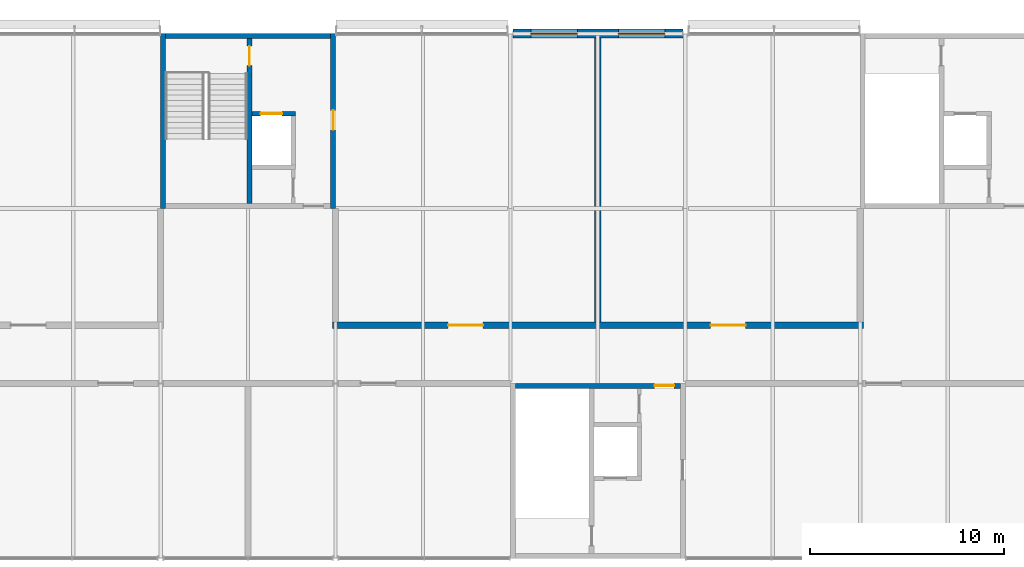
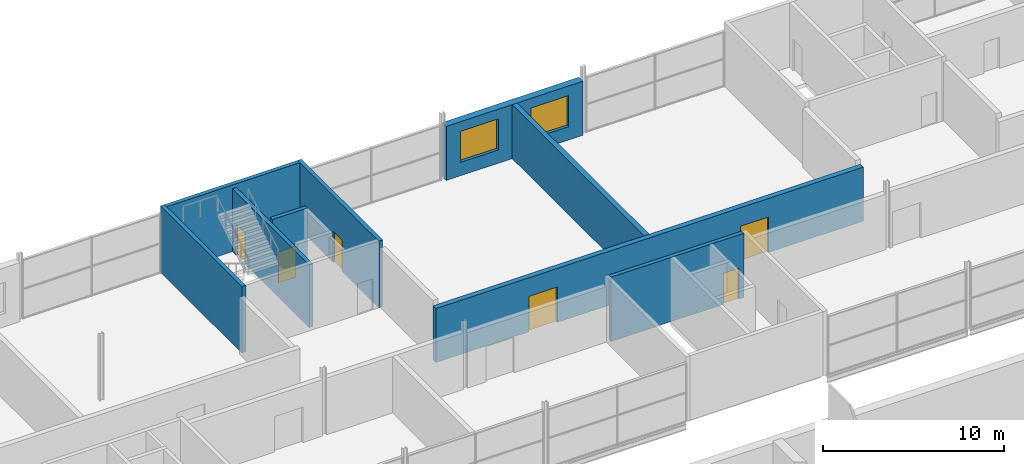
# One storey, part 125 of 138: 9 walls, 6 doors, 2 windows, 8 openings.
"""IFC4 building model written with IfcOpenShell, lengths in metres."""

import ifcopenshell
import ifcopenshell.guid

model = None  # the IFC model being written
_history = None  # IfcOwnerHistory: only IFC2X3 demands one
_inside = {}  # id of a spatial element -> (the spatial element, [elements in it])
_under = {}  # id of a project, library or spatial element -> (it, [spatial elements below it])
_declared = {}  # id of a project -> (the project, [libraries it declares])
_typed = {}  # id of a type object -> (the type object, [elements of that type])
_made_of = {}  # id of a material, layer set ... -> (it, [elements and type objects made of it])


def new_model(schema):
    """Start an empty IFC model of exactly this schema.

    Asked for "IFC4X3", IfcOpenShell would pick the latest addendum, in which some entities
    have other attributes; the version numbers below select the first issue.
    IFC2X3 requires an IfcOwnerHistory on every rooted entity: one is made here for all.
    """
    global model, _history
    if schema == "IFC4X3":
        model = ifcopenshell.file(schema_version=(4, 3, 0, 0))
    else:
        model = ifcopenshell.file(schema=schema)
    _inside.clear()
    _under.clear()
    _declared.clear()
    _typed.clear()
    _made_of.clear()
    _history = None
    if model.schema == "IFC2X3":
        org = make("IfcOrganization", Name="unknown")
        user = make(
            "IfcPersonAndOrganization",
            ThePerson=make("IfcPerson", FamilyName="unknown"),
            TheOrganization=org,
        )
        app = make(
            "IfcApplication",
            ApplicationDeveloper=org,
            Version="unknown",
            ApplicationFullName="unknown",
            ApplicationIdentifier="unknown",
        )
        _history = make(
            "IfcOwnerHistory",
            OwningUser=user,
            OwningApplication=app,
            ChangeAction="ADDED",
            CreationDate=0,
        )
    return model


def make(cls, **values):
    """One entity of the class cls with the attributes given. An attribute that is None is left unset."""
    return model.create_entity(
        cls, **{name: value for name, value in values.items() if value is not None}
    )


def rooted(cls, **values):
    """An entity with a GlobalId (a new one), such as an element, a storey or a relation."""
    return make(cls, GlobalId=ifcopenshell.guid.new(), OwnerHistory=_history, **values)


def si_unit(unit_type, name, prefix=None):
    """IfcSIUnit, for example si_unit("LENGTHUNIT", "METRE", prefix="MILLI")."""
    return make("IfcSIUnit", UnitType=unit_type, Prefix=prefix, Name=name)


def assignment(units):
    """IfcUnitAssignment: the units of a project."""
    return None if units is None else make("IfcUnitAssignment", Units=units)


def point(xyz):
    """IfcCartesianPoint."""
    return None if xyz is None else make("IfcCartesianPoint", Coordinates=xyz)


def direction(xyz):
    """IfcDirection."""
    return None if xyz is None else make("IfcDirection", DirectionRatios=xyz)


def frame(location, z_axis=None, x_axis=None):
    """IfcAxis2Placement3D, a coordinate frame: its origin and axes. An axis left out is left unset."""
    return make(
        "IfcAxis2Placement3D",
        Location=point(location),
        Axis=direction(z_axis),
        RefDirection=direction(x_axis),
    )


def frame_2d(location, x_axis=None):
    """IfcAxis2Placement2D, a coordinate frame in the plane: its origin and x axis."""
    return make(
        "IfcAxis2Placement2D", Location=point(location), RefDirection=direction(x_axis)
    )


def origin():
    """The frame at (0, 0, 0) with its axes left unset."""
    return frame((0.0, 0.0, 0.0))


def place(relative_to, where):
    """IfcLocalPlacement: puts the frame where relative to a parent placement (None: the world)."""
    return make(
        "IfcLocalPlacement", PlacementRelTo=relative_to, RelativePlacement=where
    )


def context(
    kind, dimensions, precision=None, world=None, true_north=None, identifier=None
):
    """IfcGeometricRepresentationContext, for example the 3D "Model" context."""
    return make(
        "IfcGeometricRepresentationContext",
        ContextIdentifier=identifier,
        ContextType=kind,
        CoordinateSpaceDimension=dimensions,
        Precision=precision,
        WorldCoordinateSystem=world,
        TrueNorth=true_north,
    )


def subcontext(parent, identifier, kind, view, scale=None):
    """IfcGeometricRepresentationSubContext, for example "Body" below "Model"."""
    return make(
        "IfcGeometricRepresentationSubContext",
        ContextIdentifier=identifier,
        ContextType=kind,
        ParentContext=parent,
        TargetScale=scale,
        TargetView=view,
    )


def project(units=None, contexts=None):
    """IfcProject with its units and contexts."""
    return rooted(
        "IfcProject",
        Name="project",
        RepresentationContexts=contexts,
        UnitsInContext=assignment(units),
    )


def spatial(cls, under=None, at=None, **own):
    """A site, building, storey or space (cls), placed at a placement, below another one or the project."""
    s = rooted(cls, ObjectPlacement=at, **own)
    if under is not None:
        _under.setdefault(under.id(), (under, []))[1].append(s)
    return s


def profile(cls, at=None, kind="AREA", **sizes):
    """A parametric profile (cls). Its sizes go by their IFC names, for example OverallWidth=200.0."""
    return make(cls, ProfileType=kind, Position=at, **sizes)


def rectangle(**sizes):
    """IfcRectangleProfileDef."""
    return profile("IfcRectangleProfileDef", **sizes)


def extrude(swept, where, along, depth):
    """IfcExtrudedAreaSolid: the profile swept, set in the frame where, extruded along a direction by depth."""
    return make(
        "IfcExtrudedAreaSolid",
        SweptArea=swept,
        Position=where,
        ExtrudedDirection=direction(along),
        Depth=depth,
    )


def shape(context_of_items, identifier, shape_type, items):
    """IfcShapeRepresentation: the items that make up one representation, for example the "Body"."""
    return make(
        "IfcShapeRepresentation",
        ContextOfItems=context_of_items,
        RepresentationIdentifier=identifier,
        RepresentationType=shape_type,
        Items=items,
    )


def material(Name=None, Category=None):
    """IfcMaterial."""
    return make("IfcMaterial", Name=Name, Category=Category)


def layer(
    of_material, thickness, ventilated=None, Name=None, Category=None, Priority=None
):
    """IfcMaterialLayer: one layer of a wall or slab, of a material (None: an air gap)."""
    return make(
        "IfcMaterialLayer",
        Material=of_material,
        LayerThickness=thickness,
        IsVentilated=ventilated,
        Name=Name,
        Category=Category,
        Priority=Priority,
    )


def layer_set(layers, Name=None):
    """IfcMaterialLayerSet."""
    return make("IfcMaterialLayerSet", MaterialLayers=layers, LayerSetName=Name)


def made_of(thing, what):
    """Note that an element or type object is made of a material, layer set ...; save() writes the relation."""
    if what is not None:
        _made_of.setdefault(what.id(), (what, []))[1].append(thing)
    return thing


def type_object(cls, material=None, **own):
    """A type object (cls), such as IfcWallType, which elements share."""
    return made_of(rooted(cls, **own), material)


def element(
    cls,
    number,
    at=None,
    inside=None,
    cuts=None,
    type_object=None,
    material=None,
    context=None,
    identifier="Body",
    shape_type=None,
    held_by="IfcProductDefinitionShape",
    body=None,
    shapes=None,
    **own,
):
    """One element of the class cls, such as IfcWall. Its Tag is "e" and its number.

    at: its placement. inside: the storey or other place that contains it. cuts: it is an
    opening in that element (IfcRelVoidsElement). A single representation is given by context,
    identifier, shape_type and body (its items); several are given by shapes. held_by: the class
    of the entity that holds the representations. save() writes the other relations.
    """
    e = rooted(cls, Tag="e%d" % number, ObjectPlacement=at, **own)
    if body is not None:
        shapes = [shape(context, identifier, shape_type, body)]
    if shapes is not None:
        e.Representation = make(held_by, Representations=shapes)
    if inside is not None:
        _inside.setdefault(inside.id(), (inside, []))[1].append(e)
    if cuts is not None:
        rooted(
            "IfcRelVoidsElement", RelatingBuildingElement=cuts, RelatedOpeningElement=e
        )
    if type_object is not None:
        _typed.setdefault(type_object.id(), (type_object, []))[1].append(e)
    return made_of(e, material)


def fill(opening, filler):
    """IfcRelFillsElement: the door or window that sits in an opening."""
    return rooted(
        "IfcRelFillsElement",
        RelatingOpeningElement=opening,
        RelatedBuildingElement=filler,
    )


def aggregate(whole, parts):
    """IfcRelAggregates: a whole, such as a stair, and the parts it consists of."""
    return rooted("IfcRelAggregates", RelatingObject=whole, RelatedObjects=parts)


def save(model, path):
    """Write the relations noted so far, then the file.

    IfcRelAggregates (storeys below a building ...), IfcRelContainedInSpatialStructure (elements
    in a storey), IfcRelDefinesByType, IfcRelAssociatesMaterial and IfcRelDeclares: one each for
    every whole, place, type object, material and project.
    """
    for whole, parts in _under.values():
        aggregate(whole, parts)
    for where, things in _inside.values():
        rooted(
            "IfcRelContainedInSpatialStructure",
            RelatedElements=things,
            RelatingStructure=where,
        )
    for kind, things in _typed.values():
        rooted("IfcRelDefinesByType", RelatedObjects=things, RelatingType=kind)
    for what, things in _made_of.values():
        rooted("IfcRelAssociatesMaterial", RelatedObjects=things, RelatingMaterial=what)
    for by, libraries in _declared.values():
        rooted("IfcRelDeclares", RelatingContext=by, RelatedDefinitions=libraries)
    model.write(path)


model = new_model("IFC4")

# Units and contexts
model_context = context("Model", 3, precision=1e-05, world=origin(), true_north=direction((0.0, 1.0)))
body_context = subcontext(model_context, "Body", "Model", "MODEL_VIEW")
ifc_project = project(units=[si_unit("LENGTHUNIT", "METRE"), si_unit("AREAUNIT", "SQUARE_METRE"), si_unit("VOLUMEUNIT", "CUBIC_METRE"), si_unit("PLANEANGLEUNIT", "RADIAN"), si_unit("MASSUNIT", "GRAM", prefix="KILO")], contexts=[model_context])

# Site, building, storey
site_placement = place(None, origin())
site = spatial("IfcSite", under=ifc_project, at=site_placement, CompositionType="ELEMENT")
building_placement = place(site_placement, origin())
building = spatial("IfcBuilding", under=site, at=building_placement, Name="Corbel Yard City Hall", CompositionType="ELEMENT")
storey_placement = place(building_placement, frame((0.0, 0.0, 10.5)))
storey = spatial("IfcBuildingStorey", under=building, at=storey_placement, Name="L02", CompositionType="ELEMENT", Elevation=10.5)

# Wall
ifc_material_1 = material(Name="Concrete N50 (50 MPa)", Category="concrete")
ifc_layer_1 = layer(ifc_material_1, 0.25)
ifc_layer_set_1 = layer_set([ifc_layer_1], Name="Concrete N50 (50 MPa)")
wall_type_1 = type_object("IfcWallType", Name="Core cell wall 250", PredefinedType="SHEAR", material=ifc_layer_set_1)
wall_1_placement = place(storey_placement, frame((99.125, 108.0, 0.0), z_axis=(0.0, 0.0, 1.0), x_axis=(0.0, 1.0, 0.0)))
element("IfcWall", 1, at=wall_1_placement, inside=storey, type_object=wall_type_1, Name="Core PC-N2 west wall", PredefinedType="SHEAR", context=body_context, shape_type="SweptSolid", body=[
    extrude(rectangle(XDim=9.0, YDim=0.25, at=frame_2d((4.5, 0.0))), origin(), (0.0, 0.0, 1.0), 4.5),
])

# Wall, opening, door
wall_2_placement = place(storey_placement, frame((107.875, 108.0, 0.0), z_axis=(0.0, 0.0, 1.0), x_axis=(0.0, 1.0, 0.0)))
wall_2 = element("IfcWall", 2, at=wall_2_placement, inside=storey, type_object=wall_type_1, Name="Core PC-N2 east wall", PredefinedType="SHEAR", context=body_context, shape_type="SweptSolid", body=[
    extrude(rectangle(XDim=9.0, YDim=0.25, at=frame_2d((4.5, 0.0))), origin(), (0.0, 0.0, 1.0), 4.5),
])
opening_1_placement = place(wall_2_placement, frame((4.050048828125, 0.0, 0.0)))
opening_1 = element("IfcOpeningElement", 3, at=opening_1_placement, cuts=wall_2, Name="Opening L02-142", PredefinedType="OPENING", context=body_context, shape_type="SweptSolid", body=[
    extrude(rectangle(XDim=1.0, YDim=2.10009765625, at=frame_2d((0.5, 1.050048828125))), frame((0.0, 0.135009765625, 0.0), z_axis=(0.0, -1.0, 0.0), x_axis=(1.0, 0.0, 0.0)), (0.0, 0.0, 1.0), 0.27001953125),
])
ifc_material_2 = material(Name="Steel Grade G250", Category="steel")
door_type_1 = type_object("IfcDoorType", Name="FS1", OperationType="SINGLE_SWING_LEFT", PredefinedType="DOOR", material=ifc_material_2)
door_1_placement = place(opening_1_placement, frame((1.0, 0.0, 0.0), z_axis=(0.0, 0.0, 1.0), x_axis=(-1.0, 0.0, 0.0)))
door_1 = element("IfcDoor", 4, at=door_1_placement, inside=storey, type_object=door_type_1, Name="Door Lift Lobby", OperationType="SINGLE_SWING_LEFT", OverallHeight=2.10009765625, OverallWidth=1.0, PredefinedType="DOOR", context=body_context, shape_type="SweptSolid", body=[
    extrude(rectangle(XDim=1.0, YDim=2.10009765625, at=frame_2d((0.5, 1.050048828125))), frame((0.0, 0.02490234375, 0.0), z_axis=(0.0, -1.0, 0.0), x_axis=(1.0, 0.0, 0.0)), (0.0, 0.0, 1.0), 0.050048828125),
])
fill(opening_1, door_1)

# Wall
wall_3_placement = place(storey_placement, frame((99.25, 116.875, 0.0), z_axis=(0.0, 0.0, 1.0), x_axis=(1.0, 0.0, 0.0)))
element("IfcWall", 5, at=wall_3_placement, inside=storey, type_object=wall_type_1, Name="Core PC-N2 north wall", PredefinedType="SHEAR", context=body_context, shape_type="SweptSolid", body=[
    extrude(rectangle(XDim=8.5, YDim=0.25, at=frame_2d((4.25, 0.0))), origin(), (0.0, 0.0, 1.0), 4.5),
])

# Wall, opening, door
wall_4_placement = place(storey_placement, frame((117.25, 98.875, 0.0), z_axis=(0.0, 0.0, 1.0), x_axis=(1.0, 0.0, 0.0)))
wall_4 = element("IfcWall", 6, at=wall_4_placement, inside=storey, type_object=wall_type_1, Name="Core PC-N6 north wall", PredefinedType="SHEAR", context=body_context, shape_type="SweptSolid", body=[
    extrude(rectangle(XDim=8.5, YDim=0.25, at=frame_2d((4.25, 0.0))), origin(), (0.0, 0.0, 1.0), 4.35009765625),
])
opening_2_placement = place(wall_4_placement, frame((7.175048828125, 0.0, 0.0)))
opening_2 = element("IfcOpeningElement", 7, at=opening_2_placement, cuts=wall_4, Name="Opening L02-149", PredefinedType="OPENING", context=body_context, shape_type="SweptSolid", body=[
    extrude(rectangle(XDim=1.0, YDim=2.10009765625, at=frame_2d((0.5, 1.050048828125))), frame((0.0, 0.135009765625, 0.0), z_axis=(0.0, -1.0, 0.0), x_axis=(1.0, 0.0, 0.0)), (0.0, 0.0, 1.0), 0.27001953125),
])
door_2_placement = place(opening_2_placement, frame((1.0, 0.0, 0.0), z_axis=(0.0, 0.0, 1.0), x_axis=(-1.0, 0.0, 0.0)))
door_2 = element("IfcDoor", 8, at=door_2_placement, inside=storey, type_object=door_type_1, Name="Door Lift Lobby", OperationType="SINGLE_SWING_LEFT", OverallHeight=2.10009765625, OverallWidth=1.0, PredefinedType="DOOR", context=body_context, shape_type="SweptSolid", body=[
    extrude(rectangle(XDim=1.0, YDim=2.10009765625, at=frame_2d((0.5, 1.050048828125))), frame((0.0, 0.02490234375, 0.0), z_axis=(0.0, -1.0, 0.0), x_axis=(1.0, 0.0, 0.0)), (0.0, 0.0, 1.0), 0.050048828125),
])
fill(opening_2, door_2)

# Wall, openings, windows
ifc_material_3 = material(Name="Sandstone cladding", Category="masonry")
ifc_layer_2 = layer(ifc_material_3, 0.06005859375)
ifc_material_4 = material(Name="Air cavity", Category="air")
ifc_layer_3 = layer(ifc_material_4, 0.0400390625)
ifc_material_5 = material(Name="Concrete N40 (40 MPa)", Category="concrete")
ifc_layer_4 = layer(ifc_material_5, 0.25)
ifc_material_6 = material(Name="Mineral wool", Category="insulation")
ifc_layer_5 = layer(ifc_material_6, 0.10009765625)
ifc_layer_set_2 = layer_set([ifc_layer_2, ifc_layer_3, ifc_layer_4, ifc_layer_5], Name="Concrete N40 (40 MPa)")
wall_type_2 = type_object("IfcWallType", Name="EW2", PredefinedType="SOLIDWALL", material=ifc_layer_set_2)
wall_5_placement = place(storey_placement, frame((117.126953125, 117.0, 0.0), z_axis=(0.0, 0.0, 1.0), x_axis=(1.0, 0.0, 0.0)))
wall_5 = element("IfcWall", 9, at=wall_5_placement, inside=storey, type_object=wall_type_2, Name="Entrance pier wall", PredefinedType="SOLIDWALL", context=body_context, shape_type="SweptSolid", body=[
    extrude(rectangle(XDim=8.74609375, YDim=0.449951171875, at=frame_2d((4.373046875, 0.0))), origin(), (0.0, 0.0, 1.0), 3.64990234375),
])
opening_3_placement = place(wall_5_placement, frame((0.923095703125, 0.0, 0.89990234375)))
opening_3 = element("IfcOpeningElement", 10, at=opening_3_placement, cuts=wall_5, Name="Opening WN8", PredefinedType="OPENING", context=body_context, shape_type="SweptSolid", body=[
    extrude(rectangle(XDim=2.39990234375, YDim=2.10009765625, at=frame_2d((1.199951171875, 1.050048828125))), frame((0.0, 0.23486328125, 0.0), z_axis=(0.0, -1.0, 0.0), x_axis=(1.0, 0.0, 0.0)), (0.0, 0.0, 1.0), 0.469970703125),
])
opening_4_placement = place(wall_5_placement, frame((5.423095703125, 0.0, 0.89990234375)))
opening_4 = element("IfcOpeningElement", 11, at=opening_4_placement, cuts=wall_5, Name="Opening WN8", PredefinedType="OPENING", context=body_context, shape_type="SweptSolid", body=[
    extrude(rectangle(XDim=2.39990234375, YDim=2.10009765625, at=frame_2d((1.199951171875, 1.050048828125))), frame((0.0, 0.23486328125, 0.0), z_axis=(0.0, -1.0, 0.0), x_axis=(1.0, 0.0, 0.0)), (0.0, 0.0, 1.0), 0.469970703125),
])
ifc_material_7 = material(Name="Aluminium frame, double glazed low-e glass", Category="aluminium")
window_type = type_object("IfcWindowType", Name="WN8", PartitioningType="SINGLE_PANEL", PredefinedType="WINDOW", material=ifc_material_7)
window_1_placement = place(opening_3_placement, origin())
window_1 = element("IfcWindow", 12, at=window_1_placement, inside=storey, type_object=window_type, Name="Window WN8 L02", OverallHeight=2.10009765625, OverallWidth=2.39990234375, PartitioningType="SINGLE_PANEL", PredefinedType="WINDOW", context=body_context, shape_type="SweptSolid", body=[
    extrude(rectangle(XDim=2.39990234375, YDim=2.10009765625, at=frame_2d((1.199951171875, 1.050048828125))), frame((0.0, 0.030029296875, 0.0), z_axis=(0.0, -1.0, 0.0), x_axis=(1.0, 0.0, 0.0)), (0.0, 0.0, 1.0), 0.06005859375),
])
fill(opening_3, window_1)
window_2_placement = place(opening_4_placement, origin())
window_2 = element("IfcWindow", 13, at=window_2_placement, inside=storey, type_object=window_type, Name="Window WN8 L02", OverallHeight=2.10009765625, OverallWidth=2.39990234375, PartitioningType="SINGLE_PANEL", PredefinedType="WINDOW", context=body_context, shape_type="SweptSolid", body=[
    extrude(rectangle(XDim=2.39990234375, YDim=2.10009765625, at=frame_2d((1.199951171875, 1.050048828125))), frame((0.0, 0.030029296875, 0.0), z_axis=(0.0, -1.0, 0.0), x_axis=(1.0, 0.0, 0.0)), (0.0, 0.0, 1.0), 0.06005859375),
])
fill(opening_4, window_2)

# Wall, opening, door
ifc_layer_6 = layer(ifc_material_5, 0.25)
ifc_layer_set_3 = layer_set([ifc_layer_6], Name="Concrete N40 (40 MPa)")
wall_type_3 = type_object("IfcWallType", Name="IW2", PredefinedType="SOLIDWALL", material=ifc_layer_set_3)
wall_6_placement = place(storey_placement, frame((103.574951171875, 116.75, 0.0), z_axis=(0.0, 0.0, 1.0), x_axis=(0.0, -1.0, 0.0)))
wall_6 = element("IfcWall", 14, at=wall_6_placement, inside=storey, type_object=wall_type_3, Name="Stair enclosure wall", PredefinedType="SOLIDWALL", context=body_context, shape_type="SweptSolid", body=[
    extrude(rectangle(XDim=8.5, YDim=0.25, at=frame_2d((4.25, 0.0))), origin(), (0.0, 0.0, 1.0), 4.25),
])
opening_5_placement = place(wall_6_placement, frame((0.39990234375, 0.0, 0.0)))
opening_5 = element("IfcOpeningElement", 15, at=opening_5_placement, cuts=wall_6, Name="Opening L02-129", PredefinedType="OPENING", context=body_context, shape_type="SweptSolid", body=[
    extrude(rectangle(XDim=1.0, YDim=2.10009765625, at=frame_2d((0.5, 1.050048828125))), frame((0.0, 0.135009765625, 0.0), z_axis=(0.0, -1.0, 0.0), x_axis=(1.0, 0.0, 0.0)), (0.0, 0.0, 1.0), 0.27001953125),
])
door_3_placement = place(opening_5_placement, frame((1.0, 0.0, 0.0), z_axis=(0.0, 0.0, 1.0), x_axis=(-1.0, 0.0, 0.0)))
door_3 = element("IfcDoor", 16, at=door_3_placement, inside=storey, type_object=door_type_1, Name="Door Exit Stair 17", OperationType="SINGLE_SWING_RIGHT", OverallHeight=2.10009765625, OverallWidth=1.0, PredefinedType="DOOR", context=body_context, shape_type="SweptSolid", body=[
    extrude(rectangle(XDim=1.0, YDim=2.10009765625, at=frame_2d((0.5, 1.050048828125))), frame((0.0, 0.02490234375, 0.0), z_axis=(0.0, -1.0, 0.0), x_axis=(1.0, 0.0, 0.0)), (0.0, 0.0, 1.0), 0.050048828125),
])
fill(opening_5, door_3)

wall_7_placement = place(storey_placement, frame((103.699951171875, 112.875, 0.0), z_axis=(0.0, 0.0, 1.0), x_axis=(1.0, 0.0, 0.0)))
wall_7 = element("IfcWall", 17, at=wall_7_placement, inside=storey, type_object=wall_type_3, Name="Lift LP17 shaft wall", PredefinedType="SOLIDWALL", context=body_context, shape_type="SweptSolid", body=[
    extrude(rectangle(XDim=2.25, YDim=0.25, at=frame_2d((1.125, 0.0))), origin(), (0.0, 0.0, 1.0), 4.5),
])
opening_6_placement = place(wall_7_placement, frame((0.449951171875, 0.0, 0.0)))
opening_6 = element("IfcOpeningElement", 18, at=opening_6_placement, cuts=wall_7, Name="Opening L02-122", PredefinedType="OPENING", context=body_context, shape_type="SweptSolid", body=[
    extrude(rectangle(XDim=1.10009765625, YDim=2.10009765625, at=frame_2d((0.550048828125, 1.050048828125))), frame((0.0, 0.135009765625, 0.0), z_axis=(0.0, -1.0, 0.0), x_axis=(1.0, 0.0, 0.0)), (0.0, 0.0, 1.0), 0.27001953125),
])
ifc_material_8 = material(Name="Stainless steel Grade 316", Category="steel")
door_type_2 = type_object("IfcDoorType", Name="LD1", OperationType="DOUBLE_DOOR_SLIDING", PredefinedType="DOOR", material=ifc_material_8)
door_4_placement = place(opening_6_placement, origin())
door_4 = element("IfcDoor", 19, at=door_4_placement, inside=storey, type_object=door_type_2, Name="Lift LP17 landing door", OperationType="DOUBLE_DOOR_SLIDING", OverallHeight=2.10009765625, OverallWidth=1.10009765625, PredefinedType="DOOR", context=body_context, shape_type="SweptSolid", body=[
    extrude(rectangle(XDim=1.10009765625, YDim=2.10009765625, at=frame_2d((0.550048828125, 1.050048828125))), frame((0.0, 0.02490234375, 0.0), z_axis=(0.0, -1.0, 0.0), x_axis=(1.0, 0.0, 0.0)), (0.0, 0.0, 1.0), 0.050048828125),
])
fill(opening_6, door_4)

# Wall, openings, doors
ifc_material_9 = material(Name="Gypsum plasterboard", Category="gypsum")
ifc_layer_7 = layer(ifc_material_9, 0.031982421875)
ifc_material_10 = material(Name="Steel Grade G550 (550 MPa yield)", Category="steel")
ifc_layer_8 = layer(ifc_material_10, 0.260986328125)
ifc_layer_9 = layer(ifc_material_9, 0.031982421875)
ifc_layer_set_4 = layer_set([ifc_layer_7, ifc_layer_8, ifc_layer_9], Name="Steel Grade G550 (550 MPa yield)")
wall_type_4 = type_object("IfcWallType", Name="PT20", PredefinedType="PARTITIONING", material=ifc_layer_set_4)
wall_8_placement = place(storey_placement, frame((107.83740234375, 102.0, 0.0), z_axis=(0.0, 0.0, 1.0), x_axis=(1.0, 0.0, 0.0)))
wall_8 = element("IfcWall", 20, at=wall_8_placement, inside=storey, type_object=wall_type_4, Name="Acoustic partition", PredefinedType="PARTITIONING", context=body_context, shape_type="SweptSolid", body=[
    extrude(rectangle(XDim=27.3251953125, YDim=0.324951171875, at=frame_2d((13.66259765625, 0.0))), origin(), (0.0, 0.0, 1.0), 3.64990234375),
])
opening_7_placement = place(wall_8_placement, frame((5.96240234375, 0.0, 0.0)))
opening_7 = element("IfcOpeningElement", 21, at=opening_7_placement, cuts=wall_8, Name="Opening L02-175", PredefinedType="OPENING", context=body_context, shape_type="SweptSolid", body=[
    extrude(rectangle(XDim=1.800048828125, YDim=2.39990234375, at=frame_2d((0.89990234375, 1.199951171875))), frame((0.0, 0.17236328125, 0.0), z_axis=(0.0, -1.0, 0.0), x_axis=(1.0, 0.0, 0.0)), (0.0, 0.0, 1.0), 0.344970703125),
])
opening_8_placement = place(wall_8_placement, frame((19.46240234375, 0.0, 0.0)))
opening_8 = element("IfcOpeningElement", 22, at=opening_8_placement, cuts=wall_8, Name="Opening L02-176", PredefinedType="OPENING", context=body_context, shape_type="SweptSolid", body=[
    extrude(rectangle(XDim=1.800048828125, YDim=2.39990234375, at=frame_2d((0.89990234375, 1.199951171875))), frame((0.0, 0.17236328125, 0.0), z_axis=(0.0, -1.0, 0.0), x_axis=(1.0, 0.0, 0.0)), (0.0, 0.0, 1.0), 0.344970703125),
])
ifc_material_11 = material(Name="Timber", Category="wood")
door_type_3 = type_object("IfcDoorType", Name="D38", OperationType="DOUBLE_DOOR_SINGLE_SWING", PredefinedType="DOOR", material=ifc_material_11)
door_5_placement = place(opening_7_placement, origin())
door_5 = element("IfcDoor", 23, at=door_5_placement, inside=storey, type_object=door_type_3, Name="Door Committee Room 25", OperationType="DOUBLE_DOOR_SINGLE_SWING", OverallHeight=2.39990234375, OverallWidth=1.800048828125, PredefinedType="DOOR", context=body_context, shape_type="SweptSolid", body=[
    extrude(rectangle(XDim=1.800048828125, YDim=2.39990234375, at=frame_2d((0.89990234375, 1.199951171875))), frame((0.0, 0.02490234375, 0.0), z_axis=(0.0, -1.0, 0.0), x_axis=(1.0, 0.0, 0.0)), (0.0, 0.0, 1.0), 0.050048828125),
])
fill(opening_7, door_5)
door_6_placement = place(opening_8_placement, origin())
door_6 = element("IfcDoor", 24, at=door_6_placement, inside=storey, type_object=door_type_3, Name="Door Committee Room 26", OperationType="DOUBLE_DOOR_SINGLE_SWING", OverallHeight=2.39990234375, OverallWidth=1.800048828125, PredefinedType="DOOR", context=body_context, shape_type="SweptSolid", body=[
    extrude(rectangle(XDim=1.800048828125, YDim=2.39990234375, at=frame_2d((0.89990234375, 1.199951171875))), frame((0.0, 0.02490234375, 0.0), z_axis=(0.0, -1.0, 0.0), x_axis=(1.0, 0.0, 0.0)), (0.0, 0.0, 1.0), 0.050048828125),
])
fill(opening_8, door_6)

# Wall
wall_9_placement = place(storey_placement, frame((121.5, 102.16259765625, 0.0), z_axis=(0.0, 0.0, 1.0), x_axis=(0.0, 1.0, 0.0)))
element("IfcWall", 25, at=wall_9_placement, inside=storey, type_object=wall_type_4, Name="Acoustic partition", PredefinedType="PARTITIONING", context=body_context, shape_type="SweptSolid", body=[
    extrude(rectangle(XDim=14.6123046875, YDim=0.324951171875, at=frame_2d((7.30615234375, 0.0))), origin(), (0.0, 0.0, 1.0), 3.64990234375),
])

save(model, "model.ifc")
